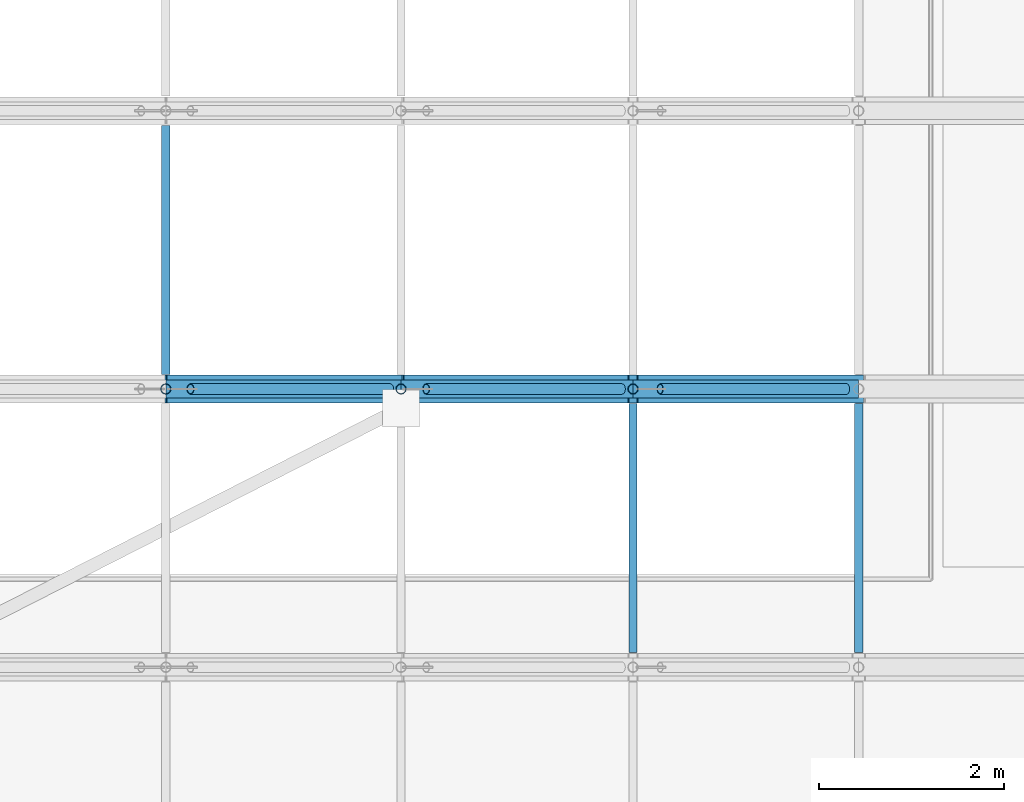
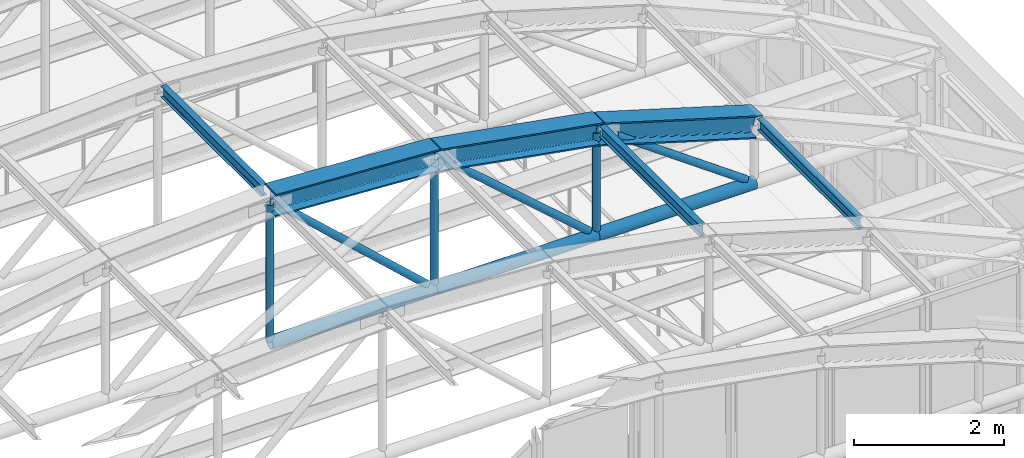
# One storey, part 60 of 148: 9 members, 6 beams.
"""IFC4 building model written with IfcOpenShell, lengths in metres."""

import ifcopenshell
import ifcopenshell.guid

model = None  # the IFC model being written
_history = None  # IfcOwnerHistory: only IFC2X3 demands one
_inside = {}  # id of a spatial element -> (the spatial element, [elements in it])
_under = {}  # id of a project, library or spatial element -> (it, [spatial elements below it])
_declared = {}  # id of a project -> (the project, [libraries it declares])
_typed = {}  # id of a type object -> (the type object, [elements of that type])
_made_of = {}  # id of a material, layer set ... -> (it, [elements and type objects made of it])


def new_model(schema):
    """Start an empty IFC model of exactly this schema.

    Asked for "IFC4X3", IfcOpenShell would pick the latest addendum, in which some entities
    have other attributes; the version numbers below select the first issue.
    IFC2X3 requires an IfcOwnerHistory on every rooted entity: one is made here for all.
    """
    global model, _history
    if schema == "IFC4X3":
        model = ifcopenshell.file(schema_version=(4, 3, 0, 0))
    else:
        model = ifcopenshell.file(schema=schema)
    _inside.clear()
    _under.clear()
    _declared.clear()
    _typed.clear()
    _made_of.clear()
    _history = None
    if model.schema == "IFC2X3":
        org = make("IfcOrganization", Name="unknown")
        user = make(
            "IfcPersonAndOrganization",
            ThePerson=make("IfcPerson", FamilyName="unknown"),
            TheOrganization=org,
        )
        app = make(
            "IfcApplication",
            ApplicationDeveloper=org,
            Version="unknown",
            ApplicationFullName="unknown",
            ApplicationIdentifier="unknown",
        )
        _history = make(
            "IfcOwnerHistory",
            OwningUser=user,
            OwningApplication=app,
            ChangeAction="ADDED",
            CreationDate=0,
        )
    return model


def make(cls, **values):
    """One entity of the class cls with the attributes given. An attribute that is None is left unset."""
    return model.create_entity(
        cls, **{name: value for name, value in values.items() if value is not None}
    )


def rooted(cls, **values):
    """An entity with a GlobalId (a new one), such as an element, a storey or a relation."""
    return make(cls, GlobalId=ifcopenshell.guid.new(), OwnerHistory=_history, **values)


def si_unit(unit_type, name, prefix=None):
    """IfcSIUnit, for example si_unit("LENGTHUNIT", "METRE", prefix="MILLI")."""
    return make("IfcSIUnit", UnitType=unit_type, Prefix=prefix, Name=name)


def assignment(units):
    """IfcUnitAssignment: the units of a project."""
    return None if units is None else make("IfcUnitAssignment", Units=units)


def point(xyz):
    """IfcCartesianPoint."""
    return None if xyz is None else make("IfcCartesianPoint", Coordinates=xyz)


def direction(xyz):
    """IfcDirection."""
    return None if xyz is None else make("IfcDirection", DirectionRatios=xyz)


def frame(location, z_axis=None, x_axis=None):
    """IfcAxis2Placement3D, a coordinate frame: its origin and axes. An axis left out is left unset."""
    return make(
        "IfcAxis2Placement3D",
        Location=point(location),
        Axis=direction(z_axis),
        RefDirection=direction(x_axis),
    )


def frame_2d(location, x_axis=None):
    """IfcAxis2Placement2D, a coordinate frame in the plane: its origin and x axis."""
    return make(
        "IfcAxis2Placement2D", Location=point(location), RefDirection=direction(x_axis)
    )


def origin():
    """The frame at (0, 0, 0) with its axes left unset."""
    return frame((0.0, 0.0, 0.0))


def origin_2d():
    """The frame at (0, 0) in the plane with its x axis left unset."""
    return frame_2d((0.0, 0.0))


def place(relative_to, where):
    """IfcLocalPlacement: puts the frame where relative to a parent placement (None: the world)."""
    return make(
        "IfcLocalPlacement", PlacementRelTo=relative_to, RelativePlacement=where
    )


def context(
    kind, dimensions, precision=None, world=None, true_north=None, identifier=None
):
    """IfcGeometricRepresentationContext, for example the 3D "Model" context."""
    return make(
        "IfcGeometricRepresentationContext",
        ContextIdentifier=identifier,
        ContextType=kind,
        CoordinateSpaceDimension=dimensions,
        Precision=precision,
        WorldCoordinateSystem=world,
        TrueNorth=true_north,
    )


def subcontext(parent, identifier, kind, view, scale=None):
    """IfcGeometricRepresentationSubContext, for example "Body" below "Model"."""
    return make(
        "IfcGeometricRepresentationSubContext",
        ContextIdentifier=identifier,
        ContextType=kind,
        ParentContext=parent,
        TargetScale=scale,
        TargetView=view,
    )


def project(units=None, contexts=None):
    """IfcProject with its units and contexts."""
    return rooted(
        "IfcProject",
        Name="project",
        RepresentationContexts=contexts,
        UnitsInContext=assignment(units),
    )


def spatial(cls, under=None, at=None, **own):
    """A site, building, storey or space (cls), placed at a placement, below another one or the project."""
    s = rooted(cls, ObjectPlacement=at, **own)
    if under is not None:
        _under.setdefault(under.id(), (under, []))[1].append(s)
    return s


def profile(cls, at=None, kind="AREA", **sizes):
    """A parametric profile (cls). Its sizes go by their IFC names, for example OverallWidth=200.0."""
    return make(cls, ProfileType=kind, Position=at, **sizes)


def hollow_circle(**sizes):
    """IfcCircleHollowProfileDef."""
    return profile("IfcCircleHollowProfileDef", **sizes)


def i_section(**sizes):
    """IfcIShapeProfileDef."""
    return profile("IfcIShapeProfileDef", **sizes)


def extrude(swept, where, along, depth):
    """IfcExtrudedAreaSolid: the profile swept, set in the frame where, extruded along a direction by depth."""
    return make(
        "IfcExtrudedAreaSolid",
        SweptArea=swept,
        Position=where,
        ExtrudedDirection=direction(along),
        Depth=depth,
    )


def shape(context_of_items, identifier, shape_type, items):
    """IfcShapeRepresentation: the items that make up one representation, for example the "Body"."""
    return make(
        "IfcShapeRepresentation",
        ContextOfItems=context_of_items,
        RepresentationIdentifier=identifier,
        RepresentationType=shape_type,
        Items=items,
    )


def material(Name=None, Category=None):
    """IfcMaterial."""
    return make("IfcMaterial", Name=Name, Category=Category)


def material_profile(
    of_material, cross_section, Name=None, Category=None, Priority=None
):
    """IfcMaterialProfile: a cross section and its material."""
    return make(
        "IfcMaterialProfile",
        Name=Name,
        Material=of_material,
        Profile=cross_section,
        Priority=Priority,
        Category=Category,
    )


def profile_set(profiles, Name=None, composite=None):
    """IfcMaterialProfileSet."""
    return make(
        "IfcMaterialProfileSet",
        Name=Name,
        MaterialProfiles=profiles,
        CompositeProfile=composite,
    )


def made_of(thing, what):
    """Note that an element or type object is made of a material, layer set ...; save() writes the relation."""
    if what is not None:
        _made_of.setdefault(what.id(), (what, []))[1].append(thing)
    return thing


def type_object(cls, material=None, **own):
    """A type object (cls), such as IfcWallType, which elements share."""
    return made_of(rooted(cls, **own), material)


def element(
    cls,
    number,
    at=None,
    inside=None,
    cuts=None,
    type_object=None,
    material=None,
    context=None,
    identifier="Body",
    shape_type=None,
    held_by="IfcProductDefinitionShape",
    body=None,
    shapes=None,
    **own,
):
    """One element of the class cls, such as IfcWall. Its Tag is "e" and its number.

    at: its placement. inside: the storey or other place that contains it. cuts: it is an
    opening in that element (IfcRelVoidsElement). A single representation is given by context,
    identifier, shape_type and body (its items); several are given by shapes. held_by: the class
    of the entity that holds the representations. save() writes the other relations.
    """
    e = rooted(cls, Tag="e%d" % number, ObjectPlacement=at, **own)
    if body is not None:
        shapes = [shape(context, identifier, shape_type, body)]
    if shapes is not None:
        e.Representation = make(held_by, Representations=shapes)
    if inside is not None:
        _inside.setdefault(inside.id(), (inside, []))[1].append(e)
    if cuts is not None:
        rooted(
            "IfcRelVoidsElement", RelatingBuildingElement=cuts, RelatedOpeningElement=e
        )
    if type_object is not None:
        _typed.setdefault(type_object.id(), (type_object, []))[1].append(e)
    return made_of(e, material)


def aggregate(whole, parts):
    """IfcRelAggregates: a whole, such as a stair, and the parts it consists of."""
    return rooted("IfcRelAggregates", RelatingObject=whole, RelatedObjects=parts)


def save(model, path):
    """Write the relations noted so far, then the file.

    IfcRelAggregates (storeys below a building ...), IfcRelContainedInSpatialStructure (elements
    in a storey), IfcRelDefinesByType, IfcRelAssociatesMaterial and IfcRelDeclares: one each for
    every whole, place, type object, material and project.
    """
    for whole, parts in _under.values():
        aggregate(whole, parts)
    for where, things in _inside.values():
        rooted(
            "IfcRelContainedInSpatialStructure",
            RelatedElements=things,
            RelatingStructure=where,
        )
    for kind, things in _typed.values():
        rooted("IfcRelDefinesByType", RelatedObjects=things, RelatingType=kind)
    for what, things in _made_of.values():
        rooted("IfcRelAssociatesMaterial", RelatedObjects=things, RelatingMaterial=what)
    for by, libraries in _declared.values():
        rooted("IfcRelDeclares", RelatingContext=by, RelatedDefinitions=libraries)
    model.write(path)


model = new_model("IFC4")

# Units and contexts
model_context = context("Model", 3, precision=1e-05, world=origin(), true_north=direction((0.0, 1.0)))
body_context = subcontext(model_context, "Body", "Model", "MODEL_VIEW")
ifc_project = project(units=[si_unit("LENGTHUNIT", "METRE"), si_unit("AREAUNIT", "SQUARE_METRE"), si_unit("VOLUMEUNIT", "CUBIC_METRE"), si_unit("PLANEANGLEUNIT", "RADIAN"), si_unit("MASSUNIT", "GRAM", prefix="KILO"), si_unit("THERMODYNAMICTEMPERATUREUNIT", "KELVIN"), si_unit("POWERUNIT", "WATT")], contexts=[model_context])

# Site, building, storey
site_placement = place(None, origin())
site = spatial("IfcSite", under=ifc_project, at=site_placement, CompositionType="ELEMENT")
building_placement = place(site_placement, origin())
building = spatial("IfcBuilding", under=site, at=building_placement, Name="Solvatero Civic Police Headquarters", CompositionType="ELEMENT")
storey_placement = place(building_placement, frame((0.0, 0.0, 5.10009765625)))
storey = spatial("IfcBuildingStorey", under=building, at=storey_placement, Name="L01", CompositionType="ELEMENT", Elevation=5.10009765625)

# Beams
ifc_material = material(Name="Steel S355", Category="steel")
ifc_material_profile_1 = material_profile(ifc_material, i_section(OverallWidth=0.300048828125, OverallDepth=0.360107421875, WebThickness=0.012451171875, FlangeThickness=0.0224609375, FilletRadius=0.027099609375, at=origin_2d()), Name="HEB 360")
ifc_profile_set_1 = profile_set([ifc_material_profile_1], Name="Steel S355")
beam_type_1 = type_object("IfcBeamType", Name="BM-ST-HEB360", PredefinedType="BEAM", material=ifc_profile_set_1)
beam_1_placement = place(storey_placement, frame((76.800048828125, 47.5, 7.459228515625), z_axis=(0.99830210262, 0.0, -0.058248707316), x_axis=(0.0, 1.0, 0.0)))
element("IfcBeam", 1, at=beam_1_placement, inside=storey, type_object=beam_type_1, Name="VLT2 Tied-Arch Vault Top Chord F3.6", PredefinedType="BEAM", context=body_context, shape_type="SweptSolid", body=[
    extrude(i_section(OverallWidth=0.300048828125, OverallDepth=0.360107421875, WebThickness=0.012451171875, FlangeThickness=0.0224609375, FilletRadius=0.027099609375, at=origin_2d()), origin(), (0.0, 0.0, 1.0), 2.5400390625),
])
beam_2_placement = place(storey_placement, frame((79.335693359375, 47.5, 7.306640625), z_axis=(0.984752581279, 0.0, -0.173960781975), x_axis=(0.0, 1.0, 0.0)))
element("IfcBeam", 2, at=beam_2_placement, inside=storey, type_object=beam_type_1, Name="VLT2 Tied-Arch Vault Top Chord F3.7", PredefinedType="BEAM", context=body_context, shape_type="SweptSolid", body=[
    extrude(i_section(OverallWidth=0.300048828125, OverallDepth=0.360107421875, WebThickness=0.012451171875, FlangeThickness=0.0224609375, FilletRadius=0.027099609375, at=origin_2d()), origin(), (0.0, 0.0, 1.0), 2.540283203125),
])
beam_3_placement = place(storey_placement, frame((81.837158203125, 47.5, 6.85498046875), z_axis=(0.957813056997, 0.0, -0.287391975958), x_axis=(0.0, 1.0, 0.0)))
element("IfcBeam", 3, at=beam_3_placement, inside=storey, type_object=beam_type_1, Name="VLT2 Tied-Arch Vault Top Chord F3.8", PredefinedType="BEAM", context=body_context, shape_type="SweptSolid", body=[
    extrude(i_section(OverallWidth=0.300048828125, OverallDepth=0.360107421875, WebThickness=0.012451171875, FlangeThickness=0.0224609375, FilletRadius=0.027099609375, at=origin_2d()), origin(), (0.0, 0.0, 1.0), 2.5400390625),
])
ifc_material_profile_2 = material_profile(ifc_material, i_section(OverallWidth=0.091064453125, OverallDepth=0.179931640625, WebThickness=0.00537109375, FlangeThickness=0.008056640625, FilletRadius=0.009033203125, at=origin_2d()), Name="IPE 180")
ifc_profile_set_2 = profile_set([ifc_material_profile_2], Name="Steel S355")
beam_type_2 = type_object("IfcBeamType", Name="BM-ST-IPE180", PredefinedType="JOIST", material=ifc_profile_set_2)
for number, where, z_axis, x_axis, name in (
    (4, (81.837158203125, 44.657958984375, 6.927978515625), (0.0, 1.0, 0.0), (-1.0, 0.0, 0.0), "VLT2 Vault Roof Purlin B2.7"),
    (5, (84.27001953125, 44.657958984375, 6.19091796875), (0.0, 1.0, 0.0), (-1.0, 0.0, 0.0), "VLT2 Vault Roof Purlin B2.8"),
    (6, (76.800048828125, 47.657958984375, 7.524658203125), (0.0, 1.0, 0.0), (-1.0, 0.0, 0.0), "VLT2 Vault Roof Purlin B3.5"),
):
    element("IfcBeam", number, at=place(storey_placement, frame(where, z_axis=z_axis, x_axis=x_axis)), inside=storey, type_object=beam_type_2, Name=name, PredefinedType="JOIST", context=body_context, shape_type="SweptSolid", body=[
        extrude(i_section(OverallWidth=0.091064453125, OverallDepth=0.179931640625, WebThickness=0.00537109375, FlangeThickness=0.008056640625, FilletRadius=0.009033203125, at=origin_2d()), origin(), (0.0, 0.0, 1.0), 2.68408203125),
    ])

# Members
ifc_material_profile_3 = material_profile(ifc_material, hollow_circle(Radius=0.05712890625, WallThickness=0.008056640625, at=origin_2d()), Name="CHS 114.3x8.0")
ifc_profile_set_3 = profile_set([ifc_material_profile_3], Name="Steel S355")
member_type_1 = type_object("IfcMemberType", Name="MB-HNG-CHS114", PredefinedType="STRUT", material=ifc_profile_set_3)
member_1_placement = place(storey_placement, frame((79.218017578125, 47.5, 5.244384765625), z_axis=(-0.736703146359, 0.0, 0.676216292428), x_axis=(0.0, -1.0, 0.0)))
element("IfcMember", 7, at=member_1_placement, inside=storey, type_object=member_type_1, Name="VLT2 Vault Truss Diagonal Web F3.5", PredefinedType="STRUT", context=body_context, shape_type="SweptSolid", body=[
    extrude(hollow_circle(Radius=0.05712890625, WallThickness=0.008056640625, at=origin_2d()), origin(), (0.0, 0.0, 1.0), 2.92236328125),
])
member_2_placement = place(storey_placement, frame((81.716552734375, 47.5, 5.2412109375), z_axis=(-0.753915676924, 0.0, 0.656971195783), x_axis=(0.0, -1.0, 0.0)))
element("IfcMember", 8, at=member_2_placement, inside=storey, type_object=member_type_1, Name="VLT2 Vault Truss Diagonal Web F3.6", PredefinedType="STRUT", context=body_context, shape_type="SweptSolid", body=[
    extrude(hollow_circle(Radius=0.05712890625, WallThickness=0.008056640625, at=origin_2d()), origin(), (0.0, 0.0, 1.0), 2.7978515625),
])
member_3_placement = place(storey_placement, frame((84.139892578125, 47.5, 5.229248046875), z_axis=(-0.813766862459, 0.0, 0.581191443126), x_axis=(0.0, -1.0, 0.0)))
element("IfcMember", 9, at=member_3_placement, inside=storey, type_object=member_type_1, Name="VLT2 Vault Truss Diagonal Web F3.7", PredefinedType="STRUT", context=body_context, shape_type="SweptSolid", body=[
    extrude(hollow_circle(Radius=0.05712890625, WallThickness=0.008056640625, at=origin_2d()), origin(), (0.0, 0.0, 1.0), 2.469970703125),
])
member_4_placement = place(storey_placement, frame((76.800048828125, 47.5, 5.17626953125), z_axis=(0.0, 0.0, 1.0), x_axis=(1.0, 0.0, 0.0)))
element("IfcMember", 10, at=member_4_placement, inside=storey, type_object=member_type_1, Name="VLT2 Vault Vertical Hanger F3.5", PredefinedType="STRUT", context=body_context, shape_type="SweptSolid", body=[
    extrude(hollow_circle(Radius=0.05712890625, WallThickness=0.008056640625, at=origin_2d()), origin(), (0.0, 0.0, 1.0), 2.237548828125),
])
member_5_placement = place(storey_placement, frame((79.335693359375, 47.5, 5.17626953125), z_axis=(0.0, 0.0, 1.0), x_axis=(1.0, 0.0, 0.0)))
element("IfcMember", 11, at=member_5_placement, inside=storey, type_object=member_type_1, Name="VLT2 Vault Vertical Hanger F3.6", PredefinedType="STRUT", context=body_context, shape_type="SweptSolid", body=[
    extrude(hollow_circle(Radius=0.05712890625, WallThickness=0.008056640625, at=origin_2d()), origin(), (0.0, 0.0, 1.0), 2.089599609375),
])
member_6_placement = place(storey_placement, frame((81.837158203125, 47.5, 5.17626953125), z_axis=(0.0, 0.0, 1.0), x_axis=(1.0, 0.0, 0.0)))
element("IfcMember", 12, at=member_6_placement, inside=storey, type_object=member_type_1, Name="VLT2 Vault Vertical Hanger F3.7", PredefinedType="STRUT", context=body_context, shape_type="SweptSolid", body=[
    extrude(hollow_circle(Radius=0.05712890625, WallThickness=0.008056640625, at=origin_2d()), origin(), (0.0, 0.0, 1.0), 1.647705078125),
])
ifc_material_profile_4 = material_profile(ifc_material, hollow_circle(Radius=0.096923828125, WallThickness=0.010009765625, at=origin_2d()), Name="CHS 193.7x10.0")
ifc_profile_set_4 = profile_set([ifc_material_profile_4], Name="Steel S355")
member_type_2 = type_object("IfcMemberType", Name="MB-TIE-CHS194", PredefinedType="CHORD", material=ifc_profile_set_4)
member_7_placement = place(storey_placement, frame((76.800048828125, 47.5, 5.13623046875), z_axis=(1.0, 0.0, 0.0), x_axis=(0.0, 1.0, 0.0)))
element("IfcMember", 13, at=member_7_placement, inside=storey, type_object=member_type_2, Name="VLT2 Vault Horizontal Tie Chord F3.5", PredefinedType="CHORD", context=body_context, shape_type="SweptSolid", body=[
    extrude(hollow_circle(Radius=0.096923828125, WallThickness=0.010009765625, at=origin_2d()), origin(), (0.0, 0.0, 1.0), 2.53564453125),
])
member_8_placement = place(storey_placement, frame((79.335693359375, 47.5, 5.13623046875), z_axis=(1.0, 0.0, 0.0), x_axis=(0.0, 1.0, 0.0)))
element("IfcMember", 14, at=member_8_placement, inside=storey, type_object=member_type_2, Name="VLT2 Vault Horizontal Tie Chord F3.6", PredefinedType="CHORD", context=body_context, shape_type="SweptSolid", body=[
    extrude(hollow_circle(Radius=0.096923828125, WallThickness=0.010009765625, at=origin_2d()), origin(), (0.0, 0.0, 1.0), 2.50146484375),
])
member_9_placement = place(storey_placement, frame((81.837158203125, 47.5, 5.13623046875), z_axis=(1.0, 0.0, 0.0), x_axis=(0.0, 1.0, 0.0)))
element("IfcMember", 15, at=member_9_placement, inside=storey, type_object=member_type_2, Name="VLT2 Vault Horizontal Tie Chord F3.7", PredefinedType="CHORD", context=body_context, shape_type="SweptSolid", body=[
    extrude(hollow_circle(Radius=0.096923828125, WallThickness=0.010009765625, at=origin_2d()), origin(), (0.0, 0.0, 1.0), 2.432861328125),
])

save(model, "model.ifc")
